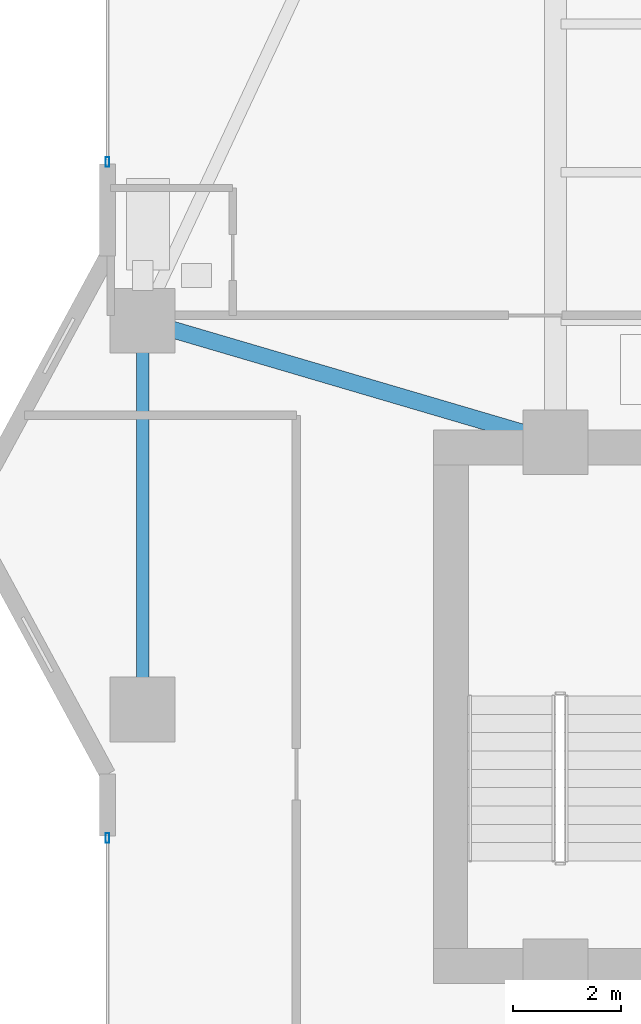
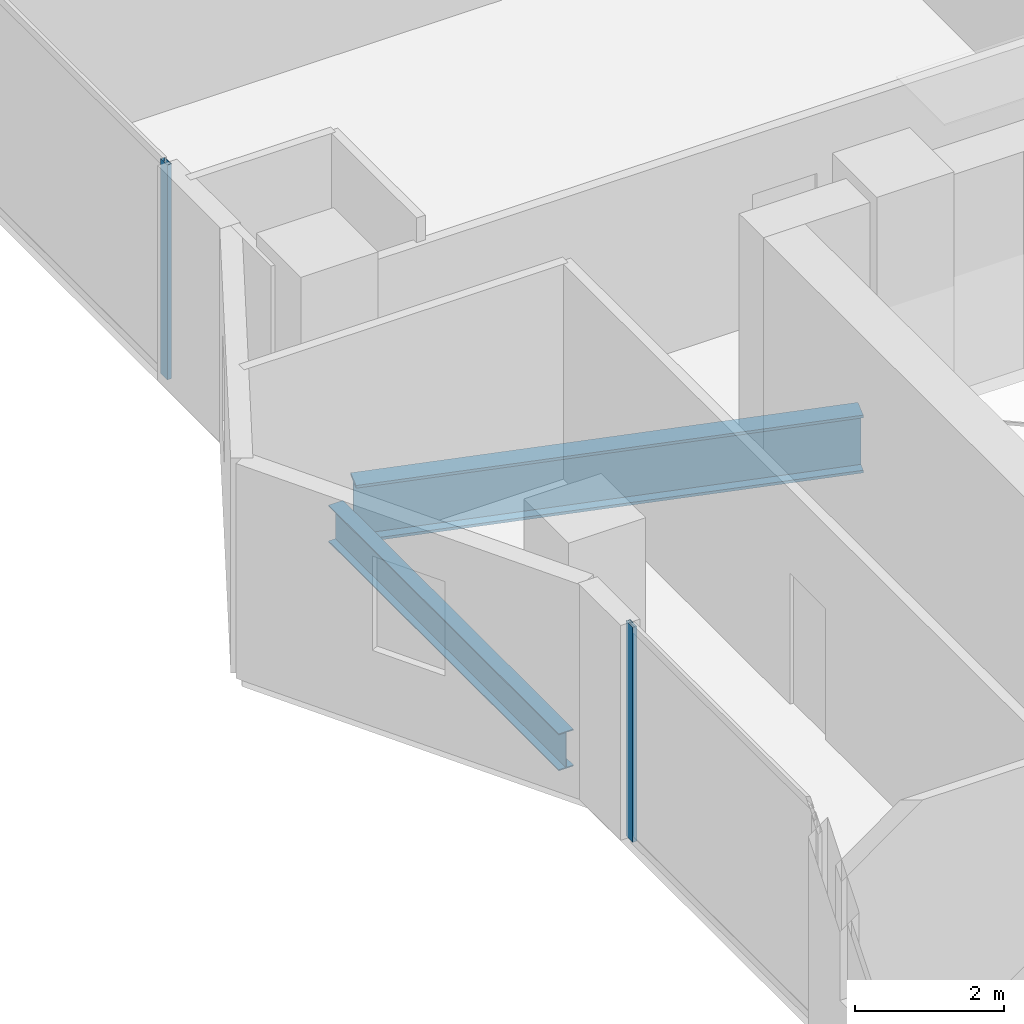
# One storey, part 8 of 33: 2 beams, 2 members, 2 elements without a shape of their own.
"""IFC4 building model written with IfcOpenShell, lengths in metres."""

from ifc_helpers import new_model, si_unit, direction, frame, origin, origin_2d, place, context, subcontext, project, spatial, hollow_rectangle, i_section, extrude, material, layer, layer_set, material_profile, profile_set, type_object, element, aggregate, save


model = new_model("IFC4")

# Units and contexts
model_context = context("Model", 3, precision=1e-05, world=origin(), true_north=direction((0.0, 1.0)))
body_context = subcontext(model_context, "Body", "Model", "MODEL_VIEW")
ifc_project = project(units=[si_unit("LENGTHUNIT", "METRE"), si_unit("AREAUNIT", "SQUARE_METRE"), si_unit("VOLUMEUNIT", "CUBIC_METRE"), si_unit("PLANEANGLEUNIT", "RADIAN"), si_unit("MASSUNIT", "GRAM", prefix="KILO")], contexts=[model_context])

# Site, building, storey
site_placement = place(None, origin())
site = spatial("IfcSite", under=ifc_project, at=site_placement, CompositionType="ELEMENT")
building_placement = place(site_placement, origin())
building = spatial("IfcBuilding", under=site, at=building_placement, Name="Zuhayl Quay Hotel", CompositionType="ELEMENT")
storey_placement = place(building_placement, frame((0.0, 0.0, 214.89990234375)))
storey = spatial("IfcBuildingStorey", under=building, at=storey_placement, Name="L54", CompositionType="ELEMENT", Elevation=214.89990234375)

# Beams
ifc_material_1 = material(Name="Steel ASTM A992 Grade 50", Category="steel")
ifc_material_profile_1 = material_profile(ifc_material_1, i_section(OverallWidth=0.22802734375, OverallDepth=0.60693359375, WebThickness=0.01123046875, FlangeThickness=0.017333984375, at=origin_2d()), Name="W24X76")
ifc_profile_set_1 = profile_set([ifc_material_profile_1], Name="Steel ASTM A992 Grade 50")
beam_type_1 = type_object("IfcBeamType", Name="BM_B3_W24X76", PredefinedType="BEAM", material=ifc_profile_set_1)
beam_1_placement = place(storey_placement, frame((-21.449951171875, 16.10009765625, -0.5234375), z_axis=(0.0, -1.0, 0.0), x_axis=(1.0, 0.0, 0.0)))
element("IfcBeam", 1, at=beam_1_placement, inside=storey, type_object=beam_type_1, Name="L54 Floor Beam RG_L54_11", PredefinedType="BEAM", context=body_context, shape_type="SweptSolid", body=[
    extrude(i_section(OverallWidth=0.22802734375, OverallDepth=0.60693359375, WebThickness=0.01123046875, FlangeThickness=0.017333984375, at=origin_2d()), origin(), (0.0, 0.0, 1.0), 6.2001953125),
])
ifc_material_profile_2 = material_profile(ifc_material_1, i_section(OverallWidth=0.31005859375, OverallDepth=0.949951171875, WebThickness=0.0244140625, FlangeThickness=0.0439453125, at=origin_2d()), Name="W36X256")
ifc_profile_set_2 = profile_set([ifc_material_profile_2], Name="Steel ASTM A992 Grade 50")
beam_type_2 = type_object("IfcBeamType", Name="BM_PG1_W36X256", PredefinedType="BEAM", material=ifc_profile_set_2)
beam_2_placement = place(storey_placement, frame((-20.97021484375, 16.458984375, -0.69482421875), z_axis=(0.959364948093, -0.282168205812, 0.0), x_axis=(0.282168205812, 0.959364948093, 0.0)))
element("IfcBeam", 2, at=beam_2_placement, inside=storey, type_object=beam_type_2, Name="L54 Floor Beam FG_W_L54_2", PredefinedType="BEAM", context=body_context, shape_type="SweptSolid", body=[
    extrude(i_section(OverallWidth=0.31005859375, OverallDepth=0.949951171875, WebThickness=0.0244140625, FlangeThickness=0.0439453125, at=origin_2d()), origin(), (0.0, 0.0, 1.0), 7.02392578125),
])

# Curtain wall, member
ifc_material_2 = material(Name="Anodised Aluminium 6063-T6", Category="aluminium")
ifc_layer = layer(ifc_material_2, 0.175048828125, Name="Anodised Aluminium 6063-T6", Category="aluminium")
ifc_layer_set = layer_set([ifc_layer], Name="Anodised Aluminium 6063-T6")
curtain_wall_type = type_object("IfcCurtainWallType", Name="CW_SYS_Z3", PredefinedType="USERDEFINED", material=ifc_layer_set)
curtain_wall_1_placement = place(storey_placement, origin())
curtain_wall_1 = element("IfcCurtainWall", 3, at=curtain_wall_1_placement, inside=storey, type_object=curtain_wall_type, Name="L54 Curtain Wall ENV_L54_E02_CW2", ObjectType="UNITISED CURTAIN WALL", PredefinedType="USERDEFINED")
ifc_material_3 = material(Name="Black-anodised aluminium 6063-T6", Category="aluminium")
ifc_material_profile_3 = material_profile(ifc_material_3, hollow_rectangle(XDim=0.06494140625, YDim=0.179931640625, WallThickness=0.00341796875, at=origin_2d()), Name="ALU180X65")
ifc_profile_set_3 = profile_set([ifc_material_profile_3], Name="Black-anodised aluminium 6063-T6")
member_type = type_object("IfcMemberType", Name="MB_CW_MUL_180", PredefinedType="MULLION", material=ifc_profile_set_3)
member_1_placement = place(storey_placement, frame((-22.10009765625, 7.017578125, 0.0), z_axis=(0.0, 0.0, 1.0), x_axis=(-1.0, 0.0, 0.0)))
member_1 = element("IfcMember", 4, at=member_1_placement, type_object=member_type, Name="CW-Z3 mullion 2", PredefinedType="MULLION", context=body_context, shape_type="SweptSolid", body=[
    extrude(hollow_rectangle(XDim=0.06494140625, YDim=0.179931640625, WallThickness=0.00341796875, at=origin_2d()), origin(), (0.0, 0.0, 1.0), 3.530029296875),
])
aggregate(curtain_wall_1, [member_1])

curtain_wall_2_placement = place(storey_placement, origin())
curtain_wall_2 = element("IfcCurtainWall", 5, at=curtain_wall_2_placement, inside=storey, type_object=curtain_wall_type, Name="L54 Curtain Wall ENV_L54_E05_CW1", ObjectType="UNITISED CURTAIN WALL", PredefinedType="USERDEFINED")
member_2_placement = place(storey_placement, frame((-22.10009765625, 19.54248046875, 0.0), z_axis=(0.0, 0.0, 1.0), x_axis=(-1.0, 0.0, 0.0)))
member_2 = element("IfcMember", 6, at=member_2_placement, type_object=member_type, Name="CW-Z3 mullion 1", PredefinedType="MULLION", context=body_context, shape_type="SweptSolid", body=[
    extrude(hollow_rectangle(XDim=0.06494140625, YDim=0.179931640625, WallThickness=0.00341796875, at=origin_2d()), origin(), (0.0, 0.0, 1.0), 3.530029296875),
])
aggregate(curtain_wall_2, [member_2])

save(model, "model.ifc")
